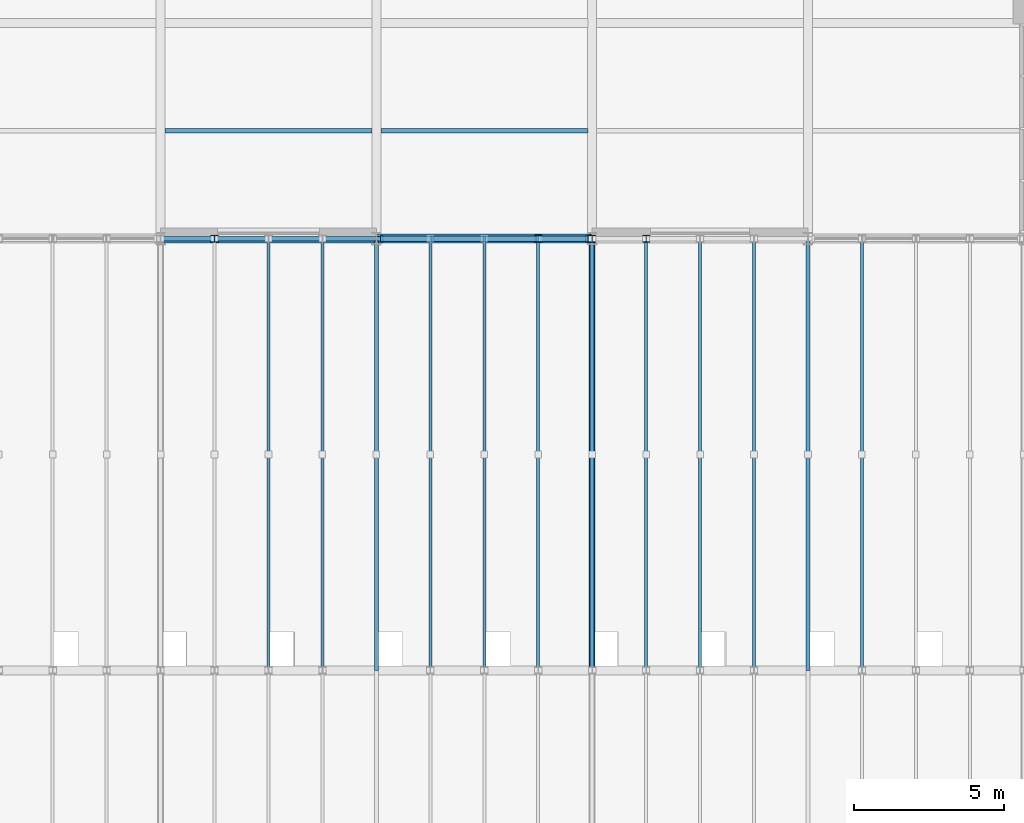
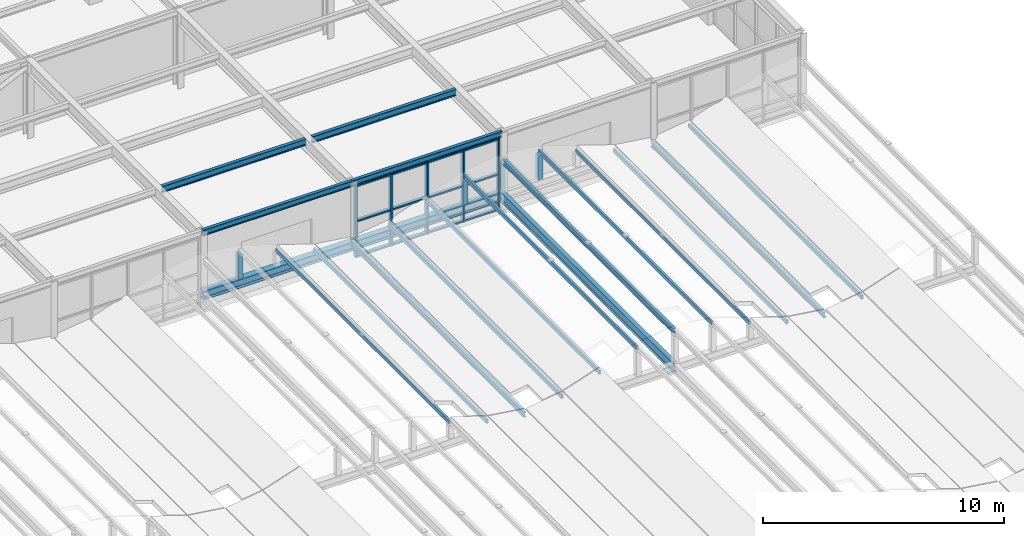
# One storey, part 36 of 83: 24 members, 6 beams, 1 element without a shape of its own.
"""IFC4 building model written with IfcOpenShell, lengths in metres."""

import ifcopenshell
import ifcopenshell.guid

model = None  # the IFC model being written
_history = None  # IfcOwnerHistory: only IFC2X3 demands one
_inside = {}  # id of a spatial element -> (the spatial element, [elements in it])
_under = {}  # id of a project, library or spatial element -> (it, [spatial elements below it])
_declared = {}  # id of a project -> (the project, [libraries it declares])
_typed = {}  # id of a type object -> (the type object, [elements of that type])
_made_of = {}  # id of a material, layer set ... -> (it, [elements and type objects made of it])


def new_model(schema):
    """Start an empty IFC model of exactly this schema.

    Asked for "IFC4X3", IfcOpenShell would pick the latest addendum, in which some entities
    have other attributes; the version numbers below select the first issue.
    IFC2X3 requires an IfcOwnerHistory on every rooted entity: one is made here for all.
    """
    global model, _history
    if schema == "IFC4X3":
        model = ifcopenshell.file(schema_version=(4, 3, 0, 0))
    else:
        model = ifcopenshell.file(schema=schema)
    _inside.clear()
    _under.clear()
    _declared.clear()
    _typed.clear()
    _made_of.clear()
    _history = None
    if model.schema == "IFC2X3":
        org = make("IfcOrganization", Name="unknown")
        user = make(
            "IfcPersonAndOrganization",
            ThePerson=make("IfcPerson", FamilyName="unknown"),
            TheOrganization=org,
        )
        app = make(
            "IfcApplication",
            ApplicationDeveloper=org,
            Version="unknown",
            ApplicationFullName="unknown",
            ApplicationIdentifier="unknown",
        )
        _history = make(
            "IfcOwnerHistory",
            OwningUser=user,
            OwningApplication=app,
            ChangeAction="ADDED",
            CreationDate=0,
        )
    return model


def make(cls, **values):
    """One entity of the class cls with the attributes given. An attribute that is None is left unset."""
    return model.create_entity(
        cls, **{name: value for name, value in values.items() if value is not None}
    )


def rooted(cls, **values):
    """An entity with a GlobalId (a new one), such as an element, a storey or a relation."""
    return make(cls, GlobalId=ifcopenshell.guid.new(), OwnerHistory=_history, **values)


def si_unit(unit_type, name, prefix=None):
    """IfcSIUnit, for example si_unit("LENGTHUNIT", "METRE", prefix="MILLI")."""
    return make("IfcSIUnit", UnitType=unit_type, Prefix=prefix, Name=name)


def assignment(units):
    """IfcUnitAssignment: the units of a project."""
    return None if units is None else make("IfcUnitAssignment", Units=units)


def point(xyz):
    """IfcCartesianPoint."""
    return None if xyz is None else make("IfcCartesianPoint", Coordinates=xyz)


def direction(xyz):
    """IfcDirection."""
    return None if xyz is None else make("IfcDirection", DirectionRatios=xyz)


def frame(location, z_axis=None, x_axis=None):
    """IfcAxis2Placement3D, a coordinate frame: its origin and axes. An axis left out is left unset."""
    return make(
        "IfcAxis2Placement3D",
        Location=point(location),
        Axis=direction(z_axis),
        RefDirection=direction(x_axis),
    )


def frame_2d(location, x_axis=None):
    """IfcAxis2Placement2D, a coordinate frame in the plane: its origin and x axis."""
    return make(
        "IfcAxis2Placement2D", Location=point(location), RefDirection=direction(x_axis)
    )


def origin():
    """The frame at (0, 0, 0) with its axes left unset."""
    return frame((0.0, 0.0, 0.0))


def origin_2d():
    """The frame at (0, 0) in the plane with its x axis left unset."""
    return frame_2d((0.0, 0.0))


def place(relative_to, where):
    """IfcLocalPlacement: puts the frame where relative to a parent placement (None: the world)."""
    return make(
        "IfcLocalPlacement", PlacementRelTo=relative_to, RelativePlacement=where
    )


def context(
    kind, dimensions, precision=None, world=None, true_north=None, identifier=None
):
    """IfcGeometricRepresentationContext, for example the 3D "Model" context."""
    return make(
        "IfcGeometricRepresentationContext",
        ContextIdentifier=identifier,
        ContextType=kind,
        CoordinateSpaceDimension=dimensions,
        Precision=precision,
        WorldCoordinateSystem=world,
        TrueNorth=true_north,
    )


def subcontext(parent, identifier, kind, view, scale=None):
    """IfcGeometricRepresentationSubContext, for example "Body" below "Model"."""
    return make(
        "IfcGeometricRepresentationSubContext",
        ContextIdentifier=identifier,
        ContextType=kind,
        ParentContext=parent,
        TargetScale=scale,
        TargetView=view,
    )


def project(units=None, contexts=None):
    """IfcProject with its units and contexts."""
    return rooted(
        "IfcProject",
        Name="project",
        RepresentationContexts=contexts,
        UnitsInContext=assignment(units),
    )


def spatial(cls, under=None, at=None, **own):
    """A site, building, storey or space (cls), placed at a placement, below another one or the project."""
    s = rooted(cls, ObjectPlacement=at, **own)
    if under is not None:
        _under.setdefault(under.id(), (under, []))[1].append(s)
    return s


def profile(cls, at=None, kind="AREA", **sizes):
    """A parametric profile (cls). Its sizes go by their IFC names, for example OverallWidth=200.0."""
    return make(cls, ProfileType=kind, Position=at, **sizes)


def rectangle(**sizes):
    """IfcRectangleProfileDef."""
    return profile("IfcRectangleProfileDef", **sizes)


def hollow_rectangle(**sizes):
    """IfcRectangleHollowProfileDef."""
    return profile("IfcRectangleHollowProfileDef", **sizes)


def i_section(**sizes):
    """IfcIShapeProfileDef."""
    return profile("IfcIShapeProfileDef", **sizes)


def extrude(swept, where, along, depth):
    """IfcExtrudedAreaSolid: the profile swept, set in the frame where, extruded along a direction by depth."""
    return make(
        "IfcExtrudedAreaSolid",
        SweptArea=swept,
        Position=where,
        ExtrudedDirection=direction(along),
        Depth=depth,
    )


def shape(context_of_items, identifier, shape_type, items):
    """IfcShapeRepresentation: the items that make up one representation, for example the "Body"."""
    return make(
        "IfcShapeRepresentation",
        ContextOfItems=context_of_items,
        RepresentationIdentifier=identifier,
        RepresentationType=shape_type,
        Items=items,
    )


def material(Name=None, Category=None):
    """IfcMaterial."""
    return make("IfcMaterial", Name=Name, Category=Category)


def material_profile(
    of_material, cross_section, Name=None, Category=None, Priority=None
):
    """IfcMaterialProfile: a cross section and its material."""
    return make(
        "IfcMaterialProfile",
        Name=Name,
        Material=of_material,
        Profile=cross_section,
        Priority=Priority,
        Category=Category,
    )


def profile_set(profiles, Name=None, composite=None):
    """IfcMaterialProfileSet."""
    return make(
        "IfcMaterialProfileSet",
        Name=Name,
        MaterialProfiles=profiles,
        CompositeProfile=composite,
    )


def made_of(thing, what):
    """Note that an element or type object is made of a material, layer set ...; save() writes the relation."""
    if what is not None:
        _made_of.setdefault(what.id(), (what, []))[1].append(thing)
    return thing


def type_object(cls, material=None, **own):
    """A type object (cls), such as IfcWallType, which elements share."""
    return made_of(rooted(cls, **own), material)


def element(
    cls,
    number,
    at=None,
    inside=None,
    cuts=None,
    type_object=None,
    material=None,
    context=None,
    identifier="Body",
    shape_type=None,
    held_by="IfcProductDefinitionShape",
    body=None,
    shapes=None,
    **own,
):
    """One element of the class cls, such as IfcWall. Its Tag is "e" and its number.

    at: its placement. inside: the storey or other place that contains it. cuts: it is an
    opening in that element (IfcRelVoidsElement). A single representation is given by context,
    identifier, shape_type and body (its items); several are given by shapes. held_by: the class
    of the entity that holds the representations. save() writes the other relations.
    """
    e = rooted(cls, Tag="e%d" % number, ObjectPlacement=at, **own)
    if body is not None:
        shapes = [shape(context, identifier, shape_type, body)]
    if shapes is not None:
        e.Representation = make(held_by, Representations=shapes)
    if inside is not None:
        _inside.setdefault(inside.id(), (inside, []))[1].append(e)
    if cuts is not None:
        rooted(
            "IfcRelVoidsElement", RelatingBuildingElement=cuts, RelatedOpeningElement=e
        )
    if type_object is not None:
        _typed.setdefault(type_object.id(), (type_object, []))[1].append(e)
    return made_of(e, material)


def aggregate(whole, parts):
    """IfcRelAggregates: a whole, such as a stair, and the parts it consists of."""
    return rooted("IfcRelAggregates", RelatingObject=whole, RelatedObjects=parts)


def save(model, path):
    """Write the relations noted so far, then the file.

    IfcRelAggregates (storeys below a building ...), IfcRelContainedInSpatialStructure (elements
    in a storey), IfcRelDefinesByType, IfcRelAssociatesMaterial and IfcRelDeclares: one each for
    every whole, place, type object, material and project.
    """
    for whole, parts in _under.values():
        aggregate(whole, parts)
    for where, things in _inside.values():
        rooted(
            "IfcRelContainedInSpatialStructure",
            RelatedElements=things,
            RelatingStructure=where,
        )
    for kind, things in _typed.values():
        rooted("IfcRelDefinesByType", RelatedObjects=things, RelatingType=kind)
    for what, things in _made_of.values():
        rooted("IfcRelAssociatesMaterial", RelatedObjects=things, RelatingMaterial=what)
    for by, libraries in _declared.values():
        rooted("IfcRelDeclares", RelatingContext=by, RelatedDefinitions=libraries)
    model.write(path)


model = new_model("IFC4")

# Units and contexts
model_context = context("Model", 3, precision=1e-05, world=origin(), true_north=direction((0.0, 1.0)))
body_context = subcontext(model_context, "Body", "Model", "MODEL_VIEW")
ifc_project = project(units=[si_unit("LENGTHUNIT", "METRE"), si_unit("AREAUNIT", "SQUARE_METRE"), si_unit("VOLUMEUNIT", "CUBIC_METRE"), si_unit("PLANEANGLEUNIT", "RADIAN"), si_unit("MASSUNIT", "GRAM", prefix="KILO")], contexts=[model_context])

# Site, building, storey
site_placement = place(None, origin())
site = spatial("IfcSite", under=ifc_project, at=site_placement, CompositionType="ELEMENT")
building_placement = place(site_placement, origin())
building = spatial("IfcBuilding", under=site, at=building_placement, Name="Leyfeld Transit Interchange", CompositionType="ELEMENT")
storey_placement = place(building_placement, frame((0.0, 0.0, 5.39990234375)))
storey = spatial("IfcBuildingStorey", under=building, at=storey_placement, Name="L01", CompositionType="ELEMENT", Elevation=5.39990234375)

# Beams
ifc_material_1 = material(Name="Steel S355J2", Category="steel")
ifc_material_profile_1 = material_profile(ifc_material_1, i_section(OverallWidth=0.300048828125, OverallDepth=0.449951171875, WebThickness=0.013916015625, FlangeThickness=0.02587890625, FilletRadius=0.027099609375, at=origin_2d()), Name="HEB 450")
ifc_profile_set_1 = profile_set([ifc_material_profile_1], Name="Steel S355J2")
beam_type_1 = type_object("IfcBeamType", Name="BM-STL-HEB450", PredefinedType="JOIST", material=ifc_profile_set_1)
beam_1_placement = place(storey_placement, frame((158.39990234375, 43.199951171875, 0.675048828125), z_axis=(1.0, 0.0, 0.0), x_axis=(0.0, 1.0, 0.0)))
element("IfcBeam", 1, at=beam_1_placement, inside=storey, type_object=beam_type_1, Name="Bus Canopy Longitudinal Girder R4 B5", PredefinedType="JOIST", context=body_context, shape_type="SweptSolid", body=[
    extrude(i_section(OverallWidth=0.300048828125, OverallDepth=0.449951171875, WebThickness=0.013916015625, FlangeThickness=0.02587890625, FilletRadius=0.027099609375, at=origin_2d()), origin(), (0.0, 0.0, 1.0), 14.400146484375),
])
ifc_material_profile_2 = material_profile(ifc_material_1, i_section(OverallWidth=0.14990234375, OverallDepth=0.300048828125, WebThickness=0.007080078125, FlangeThickness=0.0107421875, FilletRadius=0.014892578125, at=origin_2d()), Name="IPE 300")
ifc_profile_set_2 = profile_set([ifc_material_profile_2], Name="Steel S355J2")
beam_type_2 = type_object("IfcBeamType", Name="BM-STL-IPE300", PredefinedType="SPANDREL", material=ifc_profile_set_2)
beam_2_placement = place(storey_placement, frame((158.39990234375, 43.199951171875, 3.800048828125), z_axis=(1.0, 0.0, 0.0), x_axis=(0.0, 1.0, 0.0)))
element("IfcBeam", 2, at=beam_2_placement, inside=storey, type_object=beam_type_2, Name="Beam BM-L01-1584_0432-1656_0432", PredefinedType="SPANDREL", context=body_context, shape_type="SweptSolid", body=[
    extrude(i_section(OverallWidth=0.14990234375, OverallDepth=0.300048828125, WebThickness=0.007080078125, FlangeThickness=0.0107421875, FilletRadius=0.014892578125, at=origin_2d()), origin(), (0.0, 0.0, 1.0), 7.2001953125),
])
beam_3_placement = place(storey_placement, frame((165.60009765625, 43.199951171875, 3.800048828125), z_axis=(1.0, 0.0, 0.0), x_axis=(0.0, 1.0, 0.0)))
element("IfcBeam", 3, at=beam_3_placement, inside=storey, type_object=beam_type_2, Name="Beam BM-L01-1656_0432-1728_0432", PredefinedType="SPANDREL", context=body_context, shape_type="SweptSolid", body=[
    extrude(i_section(OverallWidth=0.14990234375, OverallDepth=0.300048828125, WebThickness=0.007080078125, FlangeThickness=0.0107421875, FilletRadius=0.014892578125, at=origin_2d()), origin(), (0.0, 0.0, 1.0), 7.199951171875),
])
ifc_material_profile_3 = material_profile(ifc_material_1, i_section(OverallWidth=0.159912109375, OverallDepth=0.330078125, WebThickness=0.007568359375, FlangeThickness=0.011474609375, FilletRadius=0.01806640625, at=origin_2d()), Name="IPE 330")
ifc_profile_set_3 = profile_set([ifc_material_profile_3], Name="Steel S355J2")
beam_type_3 = type_object("IfcBeamType", Name="BM-STL-IPE330", PredefinedType="BEAM", material=ifc_profile_set_3)
beam_4_placement = place(storey_placement, frame((158.547119140625, 46.800048828125, 3.78515625), z_axis=(1.0, 0.0, 0.0), x_axis=(0.0, 1.0, 0.0)))
element("IfcBeam", 4, at=beam_4_placement, inside=storey, type_object=beam_type_3, Name="Beam BM-L01-1585_0468-1655_0468", PredefinedType="BEAM", context=body_context, shape_type="SweptSolid", body=[
    extrude(i_section(OverallWidth=0.159912109375, OverallDepth=0.330078125, WebThickness=0.007568359375, FlangeThickness=0.011474609375, FilletRadius=0.01806640625, at=origin_2d()), origin(), (0.0, 0.0, 1.0), 6.90576171875),
])
beam_5_placement = place(storey_placement, frame((165.7470703125, 46.800048828125, 3.78515625), z_axis=(1.0, 0.0, 0.0), x_axis=(0.0, 1.0, 0.0)))
element("IfcBeam", 5, at=beam_5_placement, inside=storey, type_object=beam_type_3, Name="Beam BM-L01-1657_0468-1727_0468", PredefinedType="BEAM", context=body_context, shape_type="SweptSolid", body=[
    extrude(i_section(OverallWidth=0.159912109375, OverallDepth=0.330078125, WebThickness=0.007568359375, FlangeThickness=0.011474609375, FilletRadius=0.01806640625, at=origin_2d()), origin(), (0.0, 0.0, 1.0), 6.906005859375),
])
ifc_material_profile_4 = material_profile(ifc_material_1, i_section(OverallWidth=0.199951171875, OverallDepth=0.5, WebThickness=0.01025390625, FlangeThickness=0.01611328125, FilletRadius=0.02099609375, at=origin_2d()), Name="IPE 500")
ifc_profile_set_4 = profile_set([ifc_material_profile_4], Name="Steel S355J2")
beam_type_4 = type_object("IfcBeamType", Name="BM-STL-IPE500", PredefinedType="BEAM", material=ifc_profile_set_4)
beam_6_placement = place(storey_placement, frame((172.800048828125, 28.800048828125, 0.650146484375), z_axis=(0.0, 1.0, 0.0), x_axis=(-1.0, 0.0, 0.0)))
element("IfcBeam", 6, at=beam_6_placement, inside=storey, type_object=beam_type_4, Name="Bus Canopy Transverse Portal Girder B6 R3", PredefinedType="BEAM", context=body_context, shape_type="SweptSolid", body=[
    extrude(i_section(OverallWidth=0.199951171875, OverallDepth=0.5, WebThickness=0.01025390625, FlangeThickness=0.01611328125, FilletRadius=0.02099609375, at=origin_2d()), origin(), (0.0, 0.0, 1.0), 14.39990234375),
])

# Curtain wall, members
ifc_material_2 = material(Name="Anodised aluminium EN AW-6060 T66", Category="aluminium")
curtain_wall_type = type_object("IfcCurtainWallType", Name="CW-SYS-BUS-7200", PredefinedType="NOTDEFINED", material=ifc_material_2)
curtain_wall_placement = place(storey_placement, origin())
curtain_wall = element("IfcCurtainWall", 7, at=curtain_wall_placement, inside=storey, type_object=curtain_wall_type, Name="Curtain Wall CW-L01-097", PredefinedType="NOTDEFINED")
ifc_material_profile_5 = material_profile(ifc_material_2, rectangle(XDim=0.074951171875, YDim=0.219970703125, at=origin_2d()), Name="CW-M 75x220")
ifc_profile_set_5 = profile_set([ifc_material_profile_5], Name="Anodised aluminium EN AW-6060 T66")
member_type_1 = type_object("IfcMemberType", Name="CW-MUL-180x70", PredefinedType="MULLION", material=ifc_profile_set_5)
member_1_placement = place(storey_placement, frame((172.62255859375, 43.199951171875, 0.0), z_axis=(0.0, 0.0, 1.0), x_axis=(-1.0, 0.0, 0.0)))
member_1 = element("IfcMember", 8, at=member_1_placement, type_object=member_type_1, Name="Curtain Mullion CW-L01-097-M01", PredefinedType="MULLION", context=body_context, shape_type="SweptSolid", body=[
    extrude(rectangle(XDim=0.074951171875, YDim=0.219970703125, at=origin_2d()), origin(), (0.0, 0.0, 1.0), 3.650146484375),
])
member_2_placement = place(storey_placement, frame((170.929931640625, 43.199951171875, 0.0), z_axis=(0.0, 0.0, 1.0), x_axis=(-1.0, 0.0, 0.0)))
member_2 = element("IfcMember", 9, at=member_2_placement, type_object=member_type_1, Name="Curtain Mullion CW-L01-097-M02", PredefinedType="MULLION", context=body_context, shape_type="SweptSolid", body=[
    extrude(rectangle(XDim=0.074951171875, YDim=0.219970703125, at=origin_2d()), origin(), (0.0, 0.0, 1.0), 3.650146484375),
])
member_3_placement = place(storey_placement, frame((169.199951171875, 43.199951171875, 0.0), z_axis=(0.0, 0.0, 1.0), x_axis=(-1.0, 0.0, 0.0)))
member_3 = element("IfcMember", 10, at=member_3_placement, type_object=member_type_1, Name="Curtain Mullion CW-L01-097-M03", PredefinedType="MULLION", context=body_context, shape_type="SweptSolid", body=[
    extrude(rectangle(XDim=0.074951171875, YDim=0.219970703125, at=origin_2d()), origin(), (0.0, 0.0, 1.0), 3.650146484375),
])
member_4_placement = place(storey_placement, frame((167.469970703125, 43.199951171875, 0.0), z_axis=(0.0, 0.0, 1.0), x_axis=(-1.0, 0.0, 0.0)))
member_4 = element("IfcMember", 11, at=member_4_placement, type_object=member_type_1, Name="Curtain Mullion CW-L01-097-M04", PredefinedType="MULLION", context=body_context, shape_type="SweptSolid", body=[
    extrude(rectangle(XDim=0.074951171875, YDim=0.219970703125, at=origin_2d()), origin(), (0.0, 0.0, 1.0), 3.650146484375),
])
member_5_placement = place(storey_placement, frame((165.777587890625, 43.199951171875, 0.0), z_axis=(0.0, 0.0, 1.0), x_axis=(-1.0, 0.0, 0.0)))
member_5 = element("IfcMember", 12, at=member_5_placement, type_object=member_type_1, Name="Curtain Mullion CW-L01-097-M05", PredefinedType="MULLION", context=body_context, shape_type="SweptSolid", body=[
    extrude(rectangle(XDim=0.074951171875, YDim=0.219970703125, at=origin_2d()), origin(), (0.0, 0.0, 1.0), 3.650146484375),
])
ifc_material_profile_6 = material_profile(ifc_material_2, rectangle(XDim=0.179931640625, YDim=0.074951171875, at=origin_2d()), Name="CW-TRN-160x70")
ifc_profile_set_6 = profile_set([ifc_material_profile_6], Name="Anodised aluminium EN AW-6060 T66")
member_type_2 = type_object("IfcMemberType", Name="CW-TRN-160x70", PredefinedType="USERDEFINED", material=ifc_profile_set_6)
member_6_placement = place(storey_placement, frame((172.659912109375, 43.199951171875, 0.03759765625), z_axis=(-1.0, 0.0, 0.0), x_axis=(0.0, -1.0, 0.0)))
member_6 = element("IfcMember", 13, at=member_6_placement, type_object=member_type_2, Name="Curtain Transom CW-L01-097-T01", ObjectType="TRANSOM", PredefinedType="USERDEFINED", context=body_context, shape_type="SweptSolid", body=[
    extrude(rectangle(XDim=0.179931640625, YDim=0.074951171875, at=origin_2d()), origin(), (0.0, 0.0, 1.0), 6.919921875),
])
member_7_placement = place(storey_placement, frame((172.659912109375, 43.199951171875, 1.8251953125), z_axis=(-1.0, 0.0, 0.0), x_axis=(0.0, -1.0, 0.0)))
member_7 = element("IfcMember", 14, at=member_7_placement, type_object=member_type_2, Name="Curtain Transom CW-L01-097-T02", ObjectType="TRANSOM", PredefinedType="USERDEFINED", context=body_context, shape_type="SweptSolid", body=[
    extrude(rectangle(XDim=0.179931640625, YDim=0.074951171875, at=origin_2d()), origin(), (0.0, 0.0, 1.0), 6.919921875),
])
member_8_placement = place(storey_placement, frame((172.659912109375, 43.199951171875, 3.612548828125), z_axis=(-1.0, 0.0, 0.0), x_axis=(0.0, -1.0, 0.0)))
member_8 = element("IfcMember", 15, at=member_8_placement, type_object=member_type_2, Name="Curtain Transom CW-L01-097-T03", ObjectType="TRANSOM", PredefinedType="USERDEFINED", context=body_context, shape_type="SweptSolid", body=[
    extrude(rectangle(XDim=0.179931640625, YDim=0.074951171875, at=origin_2d()), origin(), (0.0, 0.0, 1.0), 6.919921875),
])
aggregate(curtain_wall, [member_1, member_2, member_3, member_4, member_5, member_6, member_7, member_8])

# Members
ifc_material_profile_7 = material_profile(ifc_material_1, i_section(OverallWidth=0.239990234375, OverallDepth=0.22998046875, WebThickness=0.007568359375, FlangeThickness=0.011962890625, FilletRadius=0.02099609375, at=origin_2d()), Name="HEA 240")
ifc_profile_set_7 = profile_set([ifc_material_profile_7], Name="Steel S355J2")
member_type_3 = type_object("IfcMemberType", Name="MEM-CHD-HEA240", PredefinedType="CHORD", material=ifc_profile_set_7)
for number, where, z_axis, x_axis, name in (
    (16, (160.199951171875, 43.199951171875, 0.860107421875), (0.0, 0.0, 1.0), (1.0, 0.0, 0.0), "Wave Canopy Riser Post 222"),
    (17, (171.0, 43.199951171875, 0.860107421875), (0.0, 0.0, 1.0), (1.0, 0.0, 0.0), "Wave Canopy Riser Post 260"),
):
    element("IfcMember", number, at=place(storey_placement, frame(where, z_axis=z_axis, x_axis=x_axis)), inside=storey, type_object=member_type_3, Name=name, PredefinedType="CHORD", context=body_context, shape_type="SweptSolid", body=[
        extrude(i_section(OverallWidth=0.239990234375, OverallDepth=0.22998046875, WebThickness=0.007568359375, FlangeThickness=0.011962890625, FilletRadius=0.02099609375, at=origin_2d()), origin(), (0.0, 0.0, 1.0), 1.2998046875),
    ])
member_9_placement = place(storey_placement, frame((172.800048828125, 43.199951171875, 0.860107421875), z_axis=(0.0, 0.0, 1.0), x_axis=(1.0, 0.0, 0.0)))
element("IfcMember", 18, at=member_9_placement, inside=storey, type_object=member_type_3, Name="Wave Canopy Riser Post 267", PredefinedType="CHORD", context=body_context, shape_type="SweptSolid", body=[
    extrude(i_section(OverallWidth=0.239990234375, OverallDepth=0.22998046875, WebThickness=0.007568359375, FlangeThickness=0.011962890625, FilletRadius=0.02099609375, at=origin_2d()), origin(), (0.0, 0.0, 1.0), 1.488037109375),
])
member_10_placement = place(storey_placement, frame((174.60009765625, 43.199951171875, 0.860107421875), z_axis=(0.0, 0.0, 1.0), x_axis=(1.0, 0.0, 0.0)))
element("IfcMember", 19, at=member_10_placement, inside=storey, type_object=member_type_3, Name="Wave Canopy Riser Post 274", PredefinedType="CHORD", context=body_context, shape_type="SweptSolid", body=[
    extrude(i_section(OverallWidth=0.239990234375, OverallDepth=0.22998046875, WebThickness=0.007568359375, FlangeThickness=0.011962890625, FilletRadius=0.02099609375, at=origin_2d()), origin(), (0.0, 0.0, 1.0), 1.2998046875),
])
ifc_material_profile_8 = material_profile(ifc_material_1, i_section(OverallWidth=0.135009765625, OverallDepth=0.27001953125, WebThickness=0.006591796875, FlangeThickness=0.01025390625, FilletRadius=0.014892578125, at=origin_2d()), Name="IPE 270")
ifc_profile_set_8 = profile_set([ifc_material_profile_8], Name="Steel S355J2")
member_type_4 = type_object("IfcMemberType", Name="MEM-PUR-IPE270", PredefinedType="PURLIN", material=ifc_profile_set_8)
for number, where, z_axis, x_axis, name in (
    (20, (165.60009765625, 28.800048828125, 0.777587890625), (0.0, 1.0, 0.0), (-1.0, 0.0, 0.0), "Bus Canopy Purlin 239"),
    (21, (172.800048828125, 28.800048828125, 2.483154296875), (0.0, 1.0, 0.0), (-1.0, 0.0, 0.0), "Bus Canopy Purlin 265"),
    (22, (180.0, 28.800048828125, 0.777587890625), (0.0, 1.0, 0.0), (-1.0, 0.0, 0.0), "Bus Canopy Purlin 291"),
):
    element("IfcMember", number, at=place(storey_placement, frame(where, z_axis=z_axis, x_axis=x_axis)), inside=storey, type_object=member_type_4, Name=name, PredefinedType="PURLIN", context=body_context, shape_type="SweptSolid", body=[
        extrude(i_section(OverallWidth=0.135009765625, OverallDepth=0.27001953125, WebThickness=0.006591796875, FlangeThickness=0.01025390625, FilletRadius=0.014892578125, at=origin_2d()), origin(), (0.0, 0.0, 1.0), 14.39990234375),
    ])
ifc_material_profile_9 = material_profile(ifc_material_1, hollow_rectangle(XDim=0.10009765625, YDim=0.199951171875, WallThickness=0.008056640625, at=origin_2d()), Name="RHS 200x100x8")
ifc_profile_set_9 = profile_set([ifc_material_profile_9], Name="Steel S355J2")
member_type_5 = type_object("IfcMemberType", Name="MEM-PUR-RHS200", PredefinedType="PURLIN", material=ifc_profile_set_9)
for number, where, z_axis, x_axis, name in (
    (23, (162.0, 28.800048828125, 1.656494140625), (0.0, 1.0, 0.0), (-1.0, 0.0, 0.0), "Bus Canopy Purlin 227"),
    (24, (163.800048828125, 28.800048828125, 1.0546875), (0.0, 1.0, 0.0), (-1.0, 0.0, 0.0), "Bus Canopy Purlin 234"),
    (25, (167.39990234375, 28.800048828125, 1.0546875), (0.0, 1.0, 0.0), (-1.0, 0.0, 0.0), "Bus Canopy Purlin 244"),
    (26, (169.199951171875, 28.800048828125, 1.656494140625), (0.0, 1.0, 0.0), (-1.0, 0.0, 0.0), "Bus Canopy Purlin 251"),
    (27, (171.0, 28.800048828125, 2.259765625), (0.0, 1.0, 0.0), (-1.0, 0.0, 0.0), "Bus Canopy Purlin 258"),
    (28, (174.60009765625, 28.800048828125, 2.259765625), (0.0, 1.0, 0.0), (-1.0, 0.0, 0.0), "Bus Canopy Purlin 272"),
    (29, (176.39990234375, 28.800048828125, 1.656494140625), (0.0, 1.0, 0.0), (-1.0, 0.0, 0.0), "Bus Canopy Purlin 279"),
    (30, (178.199951171875, 28.800048828125, 1.0546875), (0.0, 1.0, 0.0), (-1.0, 0.0, 0.0), "Bus Canopy Purlin 286"),
    (31, (181.800048828125, 28.800048828125, 1.0546875), (0.0, 1.0, 0.0), (-1.0, 0.0, 0.0), "Bus Canopy Purlin 296"),
):
    element("IfcMember", number, at=place(storey_placement, frame(where, z_axis=z_axis, x_axis=x_axis)), inside=storey, type_object=member_type_5, Name=name, PredefinedType="PURLIN", context=body_context, shape_type="SweptSolid", body=[
        extrude(hollow_rectangle(XDim=0.10009765625, YDim=0.199951171875, WallThickness=0.008056640625, at=origin_2d()), origin(), (0.0, 0.0, 1.0), 14.39990234375),
    ])

save(model, "model.ifc")
